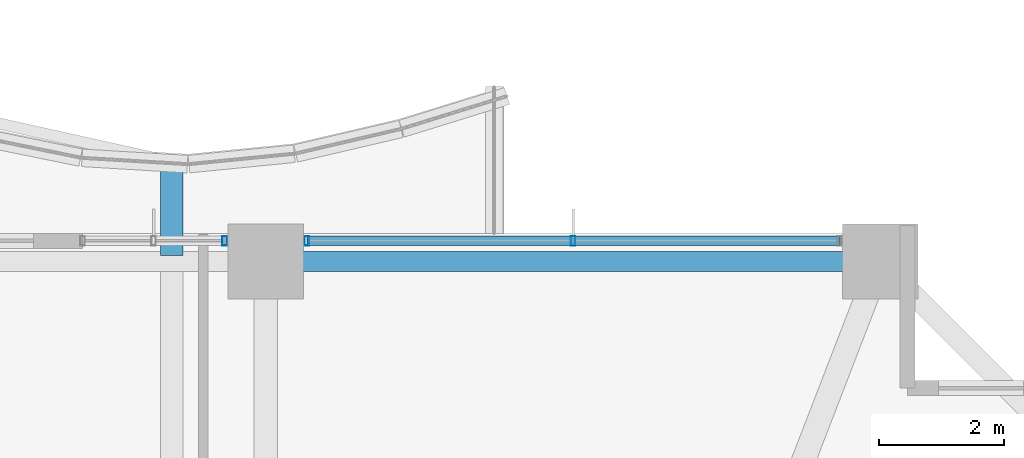
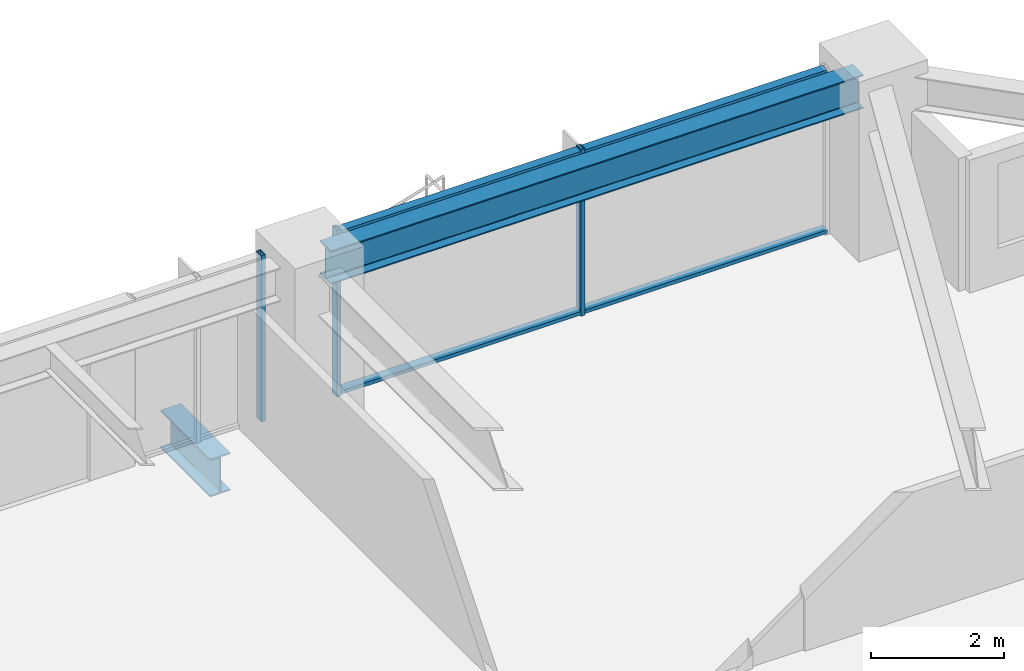
# One storey, part 22 of 38: 5 members, 2 beams, 2 elements without a shape of their own.
"""IFC4 building model written with IfcOpenShell, lengths in metres."""

from ifc_helpers import new_model, si_unit, direction, frame, origin, origin_2d, place, context, subcontext, project, spatial, hollow_rectangle, i_section, extrude, material, material_profile, profile_set, type_object, element, aggregate, save


model = new_model("IFC4")

# Units and contexts
model_context = context("Model", 3, precision=1e-05, world=origin(), true_north=direction((0.0, 1.0)))
body_context = subcontext(model_context, "Body", "Model", "MODEL_VIEW")
ifc_project = project(units=[si_unit("LENGTHUNIT", "METRE"), si_unit("AREAUNIT", "SQUARE_METRE"), si_unit("VOLUMEUNIT", "CUBIC_METRE"), si_unit("PLANEANGLEUNIT", "RADIAN"), si_unit("MASSUNIT", "GRAM", prefix="KILO")], contexts=[model_context])

# Site, building, storey
site_placement = place(None, origin())
site = spatial("IfcSite", under=ifc_project, at=site_placement, CompositionType="ELEMENT")
building_placement = place(site_placement, origin())
building = spatial("IfcBuilding", under=site, at=building_placement, Name="Kolvaren Belvedere", CompositionType="ELEMENT")
storey_placement = place(building_placement, frame((0.0, 0.0, 27.10009765625)))
storey = spatial("IfcBuildingStorey", under=building, at=storey_placement, Name="L07", CompositionType="ELEMENT", Elevation=27.10009765625)

# Beams
ifc_material_1 = material(Name="Structural steel ASTM A992 Grade 50", Category="steel")
ifc_material_profile_1 = material_profile(ifc_material_1, i_section(OverallWidth=0.35498046875, OverallDepth=0.696044921875, WebThickness=0.015380859375, FlangeThickness=0.02490234375, FilletRadius=0.02197265625, at=origin_2d()), Name="W27X146")
ifc_profile_set_1 = profile_set([ifc_material_profile_1], Name="Structural steel ASTM A992 Grade 50")
beam_type_1 = type_object("IfcBeamType", Name="BM-CANT-BAL", PredefinedType="BEAM", material=ifc_profile_set_1)
beam_1_placement = place(storey_placement, frame((3.10009765625, 21.64501953125, -0.588134765625), z_axis=(0.0, 1.0, 0.0), x_axis=(-1.0, 0.0, 0.0)))
element("IfcBeam", 1, at=beam_1_placement, inside=storey, type_object=beam_type_1, Name="L07 Planted Balcony Cantilever BAL-N-2", PredefinedType="BEAM", context=body_context, shape_type="SweptSolid", body=[
    extrude(i_section(OverallWidth=0.35498046875, OverallDepth=0.696044921875, WebThickness=0.015380859375, FlangeThickness=0.02490234375, FilletRadius=0.02197265625, at=origin_2d()), origin(), (0.0, 0.0, 1.0), 1.49267578125),
])
ifc_material_2 = material(Name="Structural steel ASTM A992 Grade 50", Category="steel")
ifc_material_profile_2 = material_profile(ifc_material_2, i_section(OverallWidth=0.324951171875, OverallDepth=0.615966796875, WebThickness=0.013916015625, FlangeThickness=0.021484375, FilletRadius=0.02001953125, at=origin_2d()), Name="W24X117")
ifc_profile_set_2 = profile_set([ifc_material_profile_2], Name="Structural steel ASTM A992 Grade 50")
beam_type_2 = type_object("IfcBeamType", Name="BM-SPAN-W24X117", PredefinedType="SPANDREL", material=ifc_profile_set_2)
beam_2_placement = place(storey_placement, frame((14.1298828125, 21.550048828125, 2.751953125), z_axis=(-1.0, 0.0, 0.0), x_axis=(0.0, -1.0, 0.0)))
element("IfcBeam", 2, at=beam_2_placement, inside=storey, type_object=beam_type_2, Name="L07 Perimeter Spandrel N4-N3", PredefinedType="SPANDREL", context=body_context, shape_type="SweptSolid", body=[
    extrude(i_section(OverallWidth=0.324951171875, OverallDepth=0.615966796875, WebThickness=0.013916015625, FlangeThickness=0.021484375, FilletRadius=0.02001953125, at=origin_2d()), origin(), (0.0, 0.0, 1.0), 9.259765625),
])

# Curtain wall, member
ifc_material_3 = material(Name="Anodised pale-metal aluminium AA 6063-T6", Category="aluminium")
curtain_wall_type = type_object("IfcCurtainWallType", Name="CW-Z1-LOW", PredefinedType="NOTDEFINED", material=ifc_material_3)
curtain_wall_1_placement = place(storey_placement, origin())
curtain_wall_1 = element("IfcCurtainWall", 3, at=curtain_wall_1_placement, inside=storey, type_object=curtain_wall_type, Name="L07 Unitised Curtain Wall FCW-L07-N2-B1", PredefinedType="NOTDEFINED")
ifc_material_4 = material(Name="Anodised pale-metal aluminium AA 6063-T6", Category="aluminium")
ifc_material_profile_3 = material_profile(ifc_material_4, hollow_rectangle(XDim=0.070068359375, YDim=0.14990234375, WallThickness=0.004150390625, at=origin_2d()), Name="ALU-MUL-150X70")
ifc_profile_set_3 = profile_set([ifc_material_profile_3], Name="Anodised pale-metal aluminium AA 6063-T6")
member_type_1 = type_object("IfcMemberType", Name="CW-MUL-150", PredefinedType="MULLION", material=ifc_profile_set_3)
member_1_placement = place(storey_placement, frame((3.945068359375, 21.8798828125, 0.0), z_axis=(0.0, 0.0, 1.0), x_axis=(1.0, 0.0, 0.0)))
member_1 = element("IfcMember", 4, at=member_1_placement, type_object=member_type_1, Name="FCW-L07-N2-B1 Unitised Mullion 3", PredefinedType="MULLION", context=body_context, shape_type="SweptSolid", body=[
    extrude(hollow_rectangle(XDim=0.070068359375, YDim=0.14990234375, WallThickness=0.004150390625, at=origin_2d()), origin(), (0.0, 0.0, 1.0), 3.059814453125),
])
aggregate(curtain_wall_1, [member_1])

# Curtain wall, members
curtain_wall_2_placement = place(storey_placement, origin())
curtain_wall_2 = element("IfcCurtainWall", 5, at=curtain_wall_2_placement, inside=storey, type_object=curtain_wall_type, Name="L07 Unitised Curtain Wall FCW-L07-N2-B2", PredefinedType="NOTDEFINED")
member_2_placement = place(storey_placement, frame((5.2548828125, 21.8798828125, 0.0), z_axis=(0.0, 0.0, 1.0), x_axis=(1.0, 0.0, 0.0)))
member_2 = element("IfcMember", 6, at=member_2_placement, type_object=member_type_1, Name="FCW-L07-N2-B2 Unitised Mullion 1", PredefinedType="MULLION", context=body_context, shape_type="SweptSolid", body=[
    extrude(hollow_rectangle(XDim=0.070068359375, YDim=0.14990234375, WallThickness=0.004150390625, at=origin_2d()), origin(), (0.0, 0.0, 1.0), 3.059814453125),
])
member_3_placement = place(storey_placement, frame((9.5, 21.8798828125, 0.0), z_axis=(0.0, 0.0, 1.0), x_axis=(1.0, 0.0, 0.0)))
member_3 = element("IfcMember", 7, at=member_3_placement, type_object=member_type_1, Name="FCW-L07-N2-B2 Unitised Mullion 2", PredefinedType="MULLION", context=body_context, shape_type="SweptSolid", body=[
    extrude(hollow_rectangle(XDim=0.070068359375, YDim=0.14990234375, WallThickness=0.004150390625, at=origin_2d()), origin(), (0.0, 0.0, 1.0), 3.059814453125),
])
ifc_material_5 = material(Name="Anodised pale-metal aluminium AA 6063-T6", Category="aluminium")
ifc_material_profile_4 = material_profile(ifc_material_5, hollow_rectangle(XDim=0.06494140625, YDim=0.14990234375, WallThickness=0.00390625, at=origin_2d()), Name="ALU-TRN-150X65")
ifc_profile_set_4 = profile_set([ifc_material_profile_4], Name="Anodised pale-metal aluminium AA 6063-T6")
member_type_2 = type_object("IfcMemberType", Name="CW-TRN-150", PredefinedType="USERDEFINED", material=ifc_profile_set_4)
member_4_placement = place(storey_placement, frame((5.2548828125, 21.8798828125, 0.059814453125), z_axis=(1.0, 0.0, 0.0), x_axis=(0.0, 0.0, 1.0)))
member_4 = element("IfcMember", 8, at=member_4_placement, type_object=member_type_2, Name="FCW-L07-N2-B2 Sill Transom", ObjectType="TRANSOM", PredefinedType="USERDEFINED", context=body_context, shape_type="SweptSolid", body=[
    extrude(hollow_rectangle(XDim=0.06494140625, YDim=0.14990234375, WallThickness=0.00390625, at=origin_2d()), origin(), (0.0, 0.0, 1.0), 8.490234375),
])
member_5_placement = place(storey_placement, frame((5.2548828125, 21.8798828125, 3.0), z_axis=(1.0, 0.0, 0.0), x_axis=(0.0, 0.0, 1.0)))
member_5 = element("IfcMember", 9, at=member_5_placement, type_object=member_type_2, Name="FCW-L07-N2-B2 Head Transom", ObjectType="TRANSOM", PredefinedType="USERDEFINED", context=body_context, shape_type="SweptSolid", body=[
    extrude(hollow_rectangle(XDim=0.06494140625, YDim=0.14990234375, WallThickness=0.00390625, at=origin_2d()), origin(), (0.0, 0.0, 1.0), 8.490234375),
])
aggregate(curtain_wall_2, [member_2, member_3, member_4, member_5])

save(model, "model.ifc")
